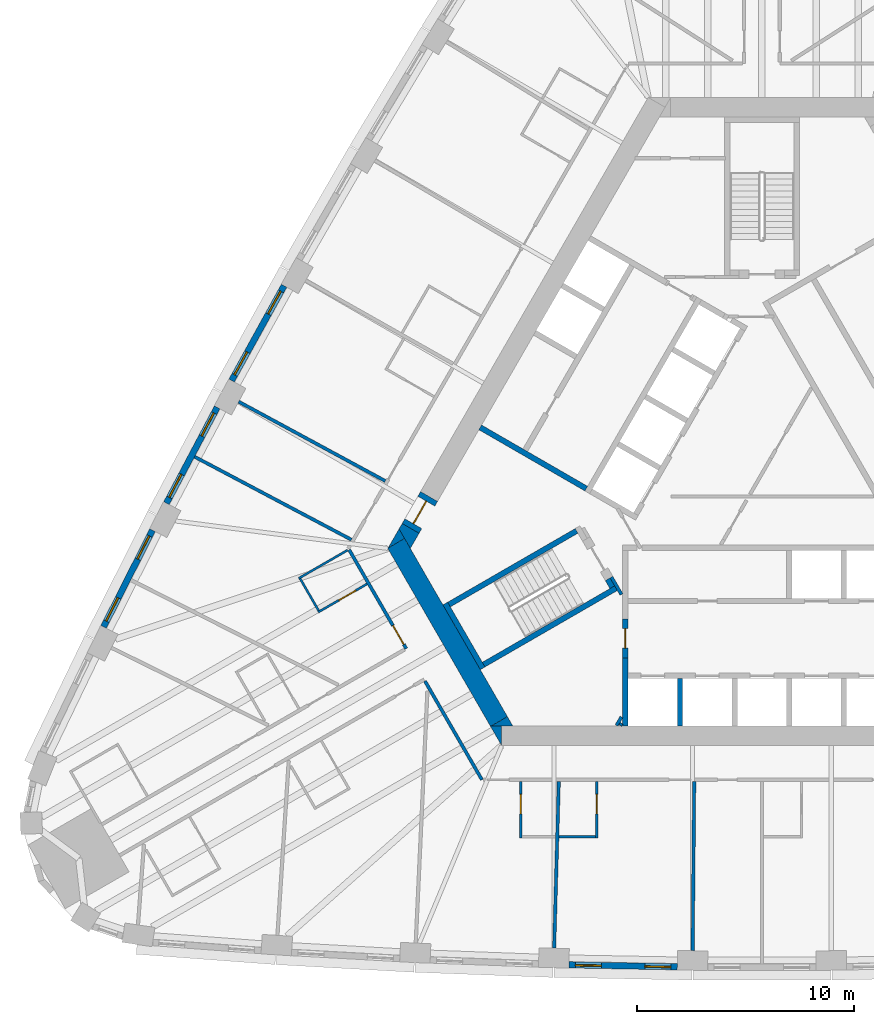
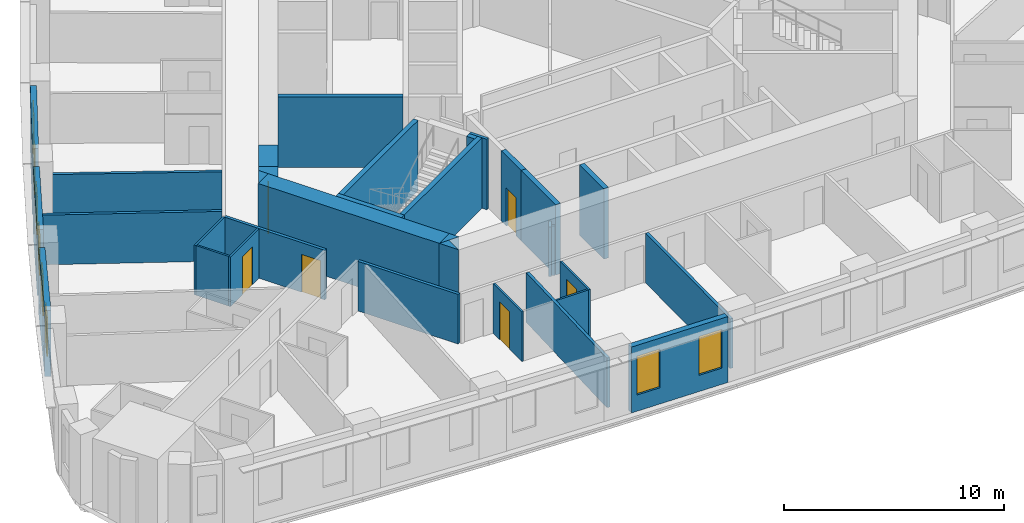
# One storey, part 4 of 13: 33 walls, 8 windows, 6 doors, 14 openings.
"""IFC4 building model written with IfcOpenShell, lengths in metres."""

from ifc_helpers import new_model, si_unit, direction, frame, frame_2d, origin, place, context, subcontext, project, spatial, polyline, rectangle, outline, extrude, material, layer, layer_set, type_object, element, fill, save


model = new_model("IFC4")

# Units and contexts
model_context = context("Model", 3, precision=1e-05, world=origin(), true_north=direction((0.0, 1.0)))
body_context = subcontext(model_context, "Body", "Model", "MODEL_VIEW")
ifc_project = project(units=[si_unit("LENGTHUNIT", "METRE"), si_unit("AREAUNIT", "SQUARE_METRE"), si_unit("VOLUMEUNIT", "CUBIC_METRE"), si_unit("PLANEANGLEUNIT", "RADIAN"), si_unit("MASSUNIT", "GRAM", prefix="KILO")], contexts=[model_context])

# Site, building, storey
site_placement = place(None, origin())
site = spatial("IfcSite", under=ifc_project, at=site_placement, CompositionType="ELEMENT")
building_placement = place(site_placement, origin())
building = spatial("IfcBuilding", under=site, at=building_placement, Name="Mestral Congress Tower", CompositionType="ELEMENT")
storey_placement = place(building_placement, frame((0.0, 0.0, 27.60009765625)))
storey = spatial("IfcBuildingStorey", under=building, at=storey_placement, Name="L05", CompositionType="ELEMENT", Elevation=27.60009765625)

# Walls
ifc_material_1 = material(Name="Fire-rated board partition")
ifc_layer_1 = layer(ifc_material_1, 0.14990234375)
ifc_layer_set_1 = layer_set([ifc_layer_1], Name="Fire-rated board partition")
wall_type_1 = type_object("IfcWallType", Name="Core partition 150", PredefinedType="PARTITIONING", material=ifc_layer_set_1)
wall_1_placement = place(storey_placement, frame((-6.707763671875, -12.068115234375, 0.0), z_axis=(0.0, 0.0, 1.0), x_axis=(0.500000789788, 0.8660249478, 0.0)))
element("IfcWall", 1, at=wall_1_placement, inside=storey, type_object=wall_type_1, Name="L05 core wall", PredefinedType="PARTITIONING", context=body_context, shape_type="SweptSolid", body=[
    extrude(rectangle(XDim=0.45556640625, YDim=0.14990234375, at=frame_2d((0.227783203125, 0.0))), origin(), (0.0, 0.0, 1.0), 2.75),
])
wall_2_placement = place(storey_placement, frame((-6.534423828125, -12.068115234375, 0.0), z_axis=(0.0, 0.0, 1.0), x_axis=(0.500240224089, 0.865886665912, 0.0)))
element("IfcWall", 2, at=wall_2_placement, inside=storey, type_object=wall_type_1, Name="L05 core wall", PredefinedType="PARTITIONING", context=body_context, shape_type="SweptSolid", body=[
    extrude(rectangle(XDim=0.10888671875, YDim=0.14990234375, at=frame_2d((0.054443359375, 0.0))), origin(), (0.0, 0.0, 1.0), 2.75),
])
ifc_material_2 = material(Name="Concrete C60/75", Category="concrete")
ifc_layer_2 = layer(ifc_material_2, 0.89990234375)
ifc_layer_set_2 = layer_set([ifc_layer_2], Name="Concrete C60/75")
wall_type_2 = type_object("IfcWallType", Name="Core wall RC 900", PredefinedType="SOLIDWALL", material=ifc_layer_set_2)
placement = place(storey_placement, origin())
element("IfcWall", 3, at=placement, inside=storey, type_object=wall_type_2, Name="L05 core wall", PredefinedType="SOLIDWALL", context=body_context, shape_type="SweptSolid", body=[
    extrude(outline(polyline([(-12.528564453125, -12.10009765625), (-12.0205078125, -12.10009765625), (-12.0205078125, -12.97998046875), (-12.528564453125, -12.10009765625)])), origin(), (0.0, 0.0, 1.0), 3.89990234375),
])
wall_4_placement = place(storey_placement, frame((-12.134033203125, -11.88330078125, 0.0), z_axis=(0.0, 0.0, 1.0), x_axis=(-0.500005339912, 0.866022320763, 0.0)))
element("IfcWall", 4, at=wall_4_placement, inside=storey, type_object=wall_type_2, Name="L05 core wall", PredefinedType="SOLIDWALL", context=body_context, shape_type="SweptSolid", body=[
    extrude(rectangle(XDim=9.48779296875, YDim=0.89990234375, at=frame_2d((4.743896484375, 0.0))), origin(), (0.0, 0.0, 1.0), 3.89990234375),
])
element("IfcWall", 5, at=placement, inside=storey, type_object=wall_type_2, Name="L05 core wall", PredefinedType="SOLIDWALL", context=body_context, shape_type="SweptSolid", body=[
    extrude(outline(polyline([(-16.4892578125, -3.43994140625), (-17.251220703125, -3.8798828125), (-16.7431640625, -3.0), (-16.4892578125, -3.43994140625)])), origin(), (0.0, 0.0, 1.0), 3.89990234375),
])
element("IfcWall", 6, at=placement, inside=storey, type_object=wall_type_2, Name="L05 core wall", PredefinedType="SOLIDWALL", context=body_context, shape_type="SweptSolid", body=[
    extrude(outline(polyline([(-11.4892578125, -12.10009765625), (-12.50537109375, -12.10009765625), (-11.743408203125, -11.66015625), (-11.4892578125, -12.10009765625)])), origin(), (0.0, 0.0, 1.0), 3.89990234375),
])
element("IfcWall", 7, at=placement, inside=storey, type_object=wall_type_2, Name="L05 core wall", PredefinedType="SOLIDWALL", context=body_context, shape_type="SweptSolid", body=[
    extrude(outline(polyline([(-15.81982421875, -3.20068359375), (-16.223388671875, -3.89990234375), (-16.7431640625, -3.0), (-16.599365234375, -2.750732421875), (-15.81982421875, -3.20068359375)])), origin(), (0.0, 0.0, 1.0), 3.89990234375),
])

# Wall, opening, door
wall_8_placement = place(storey_placement, frame((-16.20947265625, -2.9755859375, 0.0), z_axis=(0.0, 0.0, 1.0), x_axis=(0.499954529098, 0.86605165483, 0.0)))
wall_8 = element("IfcWall", 8, at=wall_8_placement, inside=storey, type_object=wall_type_2, Name="L05 door wall", PredefinedType="SOLIDWALL", context=body_context, shape_type="SweptSolid", body=[
    extrude(rectangle(XDim=1.699951171875, YDim=0.89990234375, at=frame_2d((0.85009765625, 0.0))), origin(), (0.0, 0.0, 1.0), 3.89990234375),
])
opening_1_placement = place(wall_8_placement, frame((0.25, 0.0, 0.0)))
opening_1 = element("IfcOpeningElement", 9, at=opening_1_placement, cuts=wall_8, Name="Opening XD3", PredefinedType="OPENING", context=body_context, shape_type="SweptSolid", body=[
    extrude(rectangle(XDim=1.199951171875, YDim=2.10009765625, at=frame_2d((0.60009765625, 1.050048828125))), frame((0.0, 0.4599609375, 0.0), z_axis=(0.0, -1.0, 0.0), x_axis=(1.0, 0.0, 0.0)), (0.0, 0.0, 1.0), 0.919921875),
])
ifc_material_3 = material(Name="Fire-rated steel door set", Category="steel")
door_type_1 = type_object("IfcDoorType", Name="Core door XD 1200x2100", OperationType="SINGLE_SWING_LEFT", PredefinedType="DOOR", material=ifc_material_3)
door_1_placement = place(opening_1_placement, origin())
door_1 = element("IfcDoor", 10, at=door_1_placement, inside=storey, type_object=door_type_1, Name="Door XD3", OperationType="SINGLE_SWING_LEFT", OverallHeight=2.10009765625, OverallWidth=1.199951171875, PredefinedType="DOOR", context=body_context, shape_type="SweptSolid", body=[
    extrude(rectangle(XDim=1.199951171875, YDim=2.10009765625, at=frame_2d((0.60009765625, 1.050048828125))), frame((0.0, 0.02490234375, 0.0), z_axis=(0.0, -1.0, 0.0), x_axis=(1.0, 0.0, 0.0)), (0.0, 0.0, 1.0), 0.050048828125),
])
fill(opening_1, door_1)

# Wall, openings, windows
ifc_material_4 = material(Name="Precast concrete C40/50 with limestone facing", Category="masonry")
ifc_layer_3 = layer(ifc_material_4, 0.2900390625)
ifc_layer_set_3 = layer_set([ifc_layer_3], Name="Precast concrete C40/50 with limestone facing")
wall_type_3 = type_object("IfcWallType", Name="Facade stone wall 290", PredefinedType="SOLIDWALL", material=ifc_layer_set_3)
wall_9_placement = place(storey_placement, frame((-8.903564453125, -23.11279296875, 0.0), z_axis=(0.0, 0.0, 1.0), x_axis=(0.999829529479, -0.018463801951, 0.0)))
wall_9 = element("IfcWall", 11, at=wall_9_placement, inside=storey, type_object=wall_type_3, Name="Facade wall F0-03", PredefinedType="SOLIDWALL", context=body_context, shape_type="SweptSolid", body=[
    extrude(rectangle(XDim=4.998046875, YDim=0.2900390625, at=frame_2d((2.4990234375, 0.0))), origin(), (0.0, 0.0, 1.0), 3.64990234375),
])
opening_2_placement = place(wall_9_placement, frame((0.297119140625, 0.0, 0.89990234375)))
opening_2 = element("IfcOpeningElement", 12, at=opening_2_placement, cuts=wall_9, Name="Opening W1", PredefinedType="OPENING", context=body_context, shape_type="SweptSolid", body=[
    extrude(rectangle(XDim=1.199951171875, YDim=2.14990234375, at=frame_2d((0.60009765625, 1.074951171875))), frame((0.0, 0.155029296875, 0.0), z_axis=(0.0, -1.0, 0.0), x_axis=(1.0, 0.0, 0.0)), (0.0, 0.0, 1.0), 0.31005859375),
])
opening_3_placement = place(wall_9_placement, frame((3.501220703125, 0.0, 0.89990234375)))
opening_3 = element("IfcOpeningElement", 13, at=opening_3_placement, cuts=wall_9, Name="Opening W1", PredefinedType="OPENING", context=body_context, shape_type="SweptSolid", body=[
    extrude(rectangle(XDim=1.199951171875, YDim=2.14990234375, at=frame_2d((0.60009765625, 1.074951171875))), frame((0.0, 0.155029296875, 0.0), z_axis=(0.0, -1.0, 0.0), x_axis=(1.0, 0.0, 0.0)), (0.0, 0.0, 1.0), 0.31005859375),
])
ifc_material_5 = material(Name="Clear low-emissivity double glazing", Category="glass")
window_type = type_object("IfcWindowType", Name="Facade punched window 1200 x 2150 sill 900", PartitioningType="DOUBLE_PANEL_VERTICAL", PredefinedType="WINDOW", material=ifc_material_5)
window_1_placement = place(opening_2_placement, origin())
window_1 = element("IfcWindow", 14, at=window_1_placement, inside=storey, type_object=window_type, Name="Window F0-03a", OverallHeight=2.14990234375, OverallWidth=1.199951171875, PartitioningType="DOUBLE_PANEL_VERTICAL", PredefinedType="WINDOW", context=body_context, shape_type="SweptSolid", body=[
    extrude(rectangle(XDim=1.199951171875, YDim=2.14990234375, at=frame_2d((0.60009765625, 1.074951171875))), frame((0.0, 0.01513671875, 0.0), z_axis=(0.0, -1.0, 0.0), x_axis=(1.0, 0.0, 0.0)), (0.0, 0.0, 1.0), 0.06005859375),
])
fill(opening_2, window_1)
window_2_placement = place(opening_3_placement, origin())
window_2 = element("IfcWindow", 15, at=window_2_placement, inside=storey, type_object=window_type, Name="Window F0-03b", OverallHeight=2.14990234375, OverallWidth=1.199951171875, PartitioningType="DOUBLE_PANEL_VERTICAL", PredefinedType="WINDOW", context=body_context, shape_type="SweptSolid", body=[
    extrude(rectangle(XDim=1.199951171875, YDim=2.14990234375, at=frame_2d((0.60009765625, 1.074951171875))), frame((0.0, 0.01513671875, 0.0), z_axis=(0.0, -1.0, 0.0), x_axis=(1.0, 0.0, 0.0)), (0.0, 0.0, 1.0), 0.06005859375),
])
fill(opening_3, window_2)

wall_10_placement = place(storey_placement, frame((-22.049560546875, 8.2197265625, 0.0), z_axis=(0.0, 0.0, 1.0), x_axis=(-0.483912572871, -0.875116347589, 0.0)))
wall_10 = element("IfcWall", 16, at=wall_10_placement, inside=storey, type_object=wall_type_3, Name="Facade wall F2-05", PredefinedType="SOLIDWALL", context=body_context, shape_type="SweptSolid", body=[
    extrude(rectangle(XDim=4.998291015625, YDim=0.2900390625, at=frame_2d((2.4990234375, 0.0))), origin(), (0.0, 0.0, 1.0), 3.64990234375),
])
opening_4_placement = place(wall_10_placement, frame((0.297119140625, 0.0, 0.89990234375)))
opening_4 = element("IfcOpeningElement", 17, at=opening_4_placement, cuts=wall_10, Name="Opening W1", PredefinedType="OPENING", context=body_context, shape_type="SweptSolid", body=[
    extrude(rectangle(XDim=1.199951171875, YDim=2.14990234375, at=frame_2d((0.60009765625, 1.074951171875))), frame((0.0, 0.155029296875, 0.0), z_axis=(0.0, -1.0, 0.0), x_axis=(1.0, 0.0, 0.0)), (0.0, 0.0, 1.0), 0.31005859375),
])
opening_5_placement = place(wall_10_placement, frame((3.501220703125, 0.0, 0.89990234375)))
opening_5 = element("IfcOpeningElement", 18, at=opening_5_placement, cuts=wall_10, Name="Opening W1", PredefinedType="OPENING", context=body_context, shape_type="SweptSolid", body=[
    extrude(rectangle(XDim=1.199951171875, YDim=2.14990234375, at=frame_2d((0.60009765625, 1.074951171875))), frame((0.0, 0.155029296875, 0.0), z_axis=(0.0, -1.0, 0.0), x_axis=(1.0, 0.0, 0.0)), (0.0, 0.0, 1.0), 0.31005859375),
])
window_3_placement = place(opening_4_placement, origin())
window_3 = element("IfcWindow", 19, at=window_3_placement, inside=storey, type_object=window_type, Name="Window F2-05a", OverallHeight=2.14990234375, OverallWidth=1.199951171875, PartitioningType="DOUBLE_PANEL_VERTICAL", PredefinedType="WINDOW", context=body_context, shape_type="SweptSolid", body=[
    extrude(rectangle(XDim=1.199951171875, YDim=2.14990234375, at=frame_2d((0.60009765625, 1.074951171875))), frame((0.0, 0.01513671875, 0.0), z_axis=(0.0, -1.0, 0.0), x_axis=(1.0, 0.0, 0.0)), (0.0, 0.0, 1.0), 0.06005859375),
])
fill(opening_4, window_3)
window_4_placement = place(opening_5_placement, origin())
window_4 = element("IfcWindow", 20, at=window_4_placement, inside=storey, type_object=window_type, Name="Window F2-05b", OverallHeight=2.14990234375, OverallWidth=1.199951171875, PartitioningType="DOUBLE_PANEL_VERTICAL", PredefinedType="WINDOW", context=body_context, shape_type="SweptSolid", body=[
    extrude(rectangle(XDim=1.199951171875, YDim=2.14990234375, at=frame_2d((0.60009765625, 1.074951171875))), frame((0.0, 0.01513671875, 0.0), z_axis=(0.0, -1.0, 0.0), x_axis=(1.0, 0.0, 0.0)), (0.0, 0.0, 1.0), 0.06005859375),
])
fill(opening_5, window_4)

wall_11_placement = place(storey_placement, frame((-25.1376953125, 2.60791015625, 0.0), z_axis=(0.0, 0.0, 1.0), x_axis=(-0.467629620899, -0.883924509026, 0.0)))
wall_11 = element("IfcWall", 21, at=wall_11_placement, inside=storey, type_object=wall_type_3, Name="Facade wall F2-06", PredefinedType="SOLIDWALL", context=body_context, shape_type="SweptSolid", body=[
    extrude(rectangle(XDim=4.998291015625, YDim=0.2900390625, at=frame_2d((2.4990234375, 0.0))), origin(), (0.0, 0.0, 1.0), 3.64990234375),
])
opening_6_placement = place(wall_11_placement, frame((0.297119140625, 0.0, 0.89990234375)))
opening_6 = element("IfcOpeningElement", 22, at=opening_6_placement, cuts=wall_11, Name="Opening W1", PredefinedType="OPENING", context=body_context, shape_type="SweptSolid", body=[
    extrude(rectangle(XDim=1.199951171875, YDim=2.14990234375, at=frame_2d((0.60009765625, 1.074951171875))), frame((0.0, 0.155029296875, 0.0), z_axis=(0.0, -1.0, 0.0), x_axis=(1.0, 0.0, 0.0)), (0.0, 0.0, 1.0), 0.31005859375),
])
opening_7_placement = place(wall_11_placement, frame((3.501220703125, 0.0, 0.89990234375)))
opening_7 = element("IfcOpeningElement", 23, at=opening_7_placement, cuts=wall_11, Name="Opening W1", PredefinedType="OPENING", context=body_context, shape_type="SweptSolid", body=[
    extrude(rectangle(XDim=1.199951171875, YDim=2.14990234375, at=frame_2d((0.60009765625, 1.074951171875))), frame((0.0, 0.155029296875, 0.0), z_axis=(0.0, -1.0, 0.0), x_axis=(1.0, 0.0, 0.0)), (0.0, 0.0, 1.0), 0.31005859375),
])
window_5_placement = place(opening_6_placement, origin())
window_5 = element("IfcWindow", 24, at=window_5_placement, inside=storey, type_object=window_type, Name="Window F2-06a", OverallHeight=2.14990234375, OverallWidth=1.199951171875, PartitioningType="DOUBLE_PANEL_VERTICAL", PredefinedType="WINDOW", context=body_context, shape_type="SweptSolid", body=[
    extrude(rectangle(XDim=1.199951171875, YDim=2.14990234375, at=frame_2d((0.60009765625, 1.074951171875))), frame((0.0, 0.01513671875, 0.0), z_axis=(0.0, -1.0, 0.0), x_axis=(1.0, 0.0, 0.0)), (0.0, 0.0, 1.0), 0.06005859375),
])
fill(opening_6, window_5)
window_6_placement = place(opening_7_placement, origin())
window_6 = element("IfcWindow", 25, at=window_6_placement, inside=storey, type_object=window_type, Name="Window F2-06b", OverallHeight=2.14990234375, OverallWidth=1.199951171875, PartitioningType="DOUBLE_PANEL_VERTICAL", PredefinedType="WINDOW", context=body_context, shape_type="SweptSolid", body=[
    extrude(rectangle(XDim=1.199951171875, YDim=2.14990234375, at=frame_2d((0.60009765625, 1.074951171875))), frame((0.0, 0.01513671875, 0.0), z_axis=(0.0, -1.0, 0.0), x_axis=(1.0, 0.0, 0.0)), (0.0, 0.0, 1.0), 0.06005859375),
])
fill(opening_7, window_6)

wall_12_placement = place(storey_placement, frame((-28.12158203125, -3.06005859375, 0.0), z_axis=(0.0, 0.0, 1.0), x_axis=(-0.451233929645, -0.892405704115, 0.0)))
wall_12 = element("IfcWall", 26, at=wall_12_placement, inside=storey, type_object=wall_type_3, Name="Facade wall F2-07", PredefinedType="SOLIDWALL", context=body_context, shape_type="SweptSolid", body=[
    extrude(rectangle(XDim=4.998291015625, YDim=0.2900390625, at=frame_2d((2.4990234375, 0.0))), origin(), (0.0, 0.0, 1.0), 3.64990234375),
])
opening_8_placement = place(wall_12_placement, frame((0.297119140625, 0.0, 0.89990234375)))
opening_8 = element("IfcOpeningElement", 27, at=opening_8_placement, cuts=wall_12, Name="Opening W1", PredefinedType="OPENING", context=body_context, shape_type="SweptSolid", body=[
    extrude(rectangle(XDim=1.199951171875, YDim=2.14990234375, at=frame_2d((0.60009765625, 1.074951171875))), frame((0.0, 0.155029296875, 0.0), z_axis=(0.0, -1.0, 0.0), x_axis=(1.0, 0.0, 0.0)), (0.0, 0.0, 1.0), 0.31005859375),
])
opening_9_placement = place(wall_12_placement, frame((3.501220703125, 0.0, 0.89990234375)))
opening_9 = element("IfcOpeningElement", 28, at=opening_9_placement, cuts=wall_12, Name="Opening W1", PredefinedType="OPENING", context=body_context, shape_type="SweptSolid", body=[
    extrude(rectangle(XDim=1.199951171875, YDim=2.14990234375, at=frame_2d((0.60009765625, 1.074951171875))), frame((0.0, 0.155029296875, 0.0), z_axis=(0.0, -1.0, 0.0), x_axis=(1.0, 0.0, 0.0)), (0.0, 0.0, 1.0), 0.31005859375),
])
window_7_placement = place(opening_8_placement, origin())
window_7 = element("IfcWindow", 29, at=window_7_placement, inside=storey, type_object=window_type, Name="Window F2-07a", OverallHeight=2.14990234375, OverallWidth=1.199951171875, PartitioningType="DOUBLE_PANEL_VERTICAL", PredefinedType="WINDOW", context=body_context, shape_type="SweptSolid", body=[
    extrude(rectangle(XDim=1.199951171875, YDim=2.14990234375, at=frame_2d((0.60009765625, 1.074951171875))), frame((0.0, 0.01513671875, 0.0), z_axis=(0.0, -1.0, 0.0), x_axis=(1.0, 0.0, 0.0)), (0.0, 0.0, 1.0), 0.06005859375),
])
fill(opening_8, window_7)
window_8_placement = place(opening_9_placement, origin())
window_8 = element("IfcWindow", 30, at=window_8_placement, inside=storey, type_object=window_type, Name="Window F2-07b", OverallHeight=2.14990234375, OverallWidth=1.199951171875, PartitioningType="DOUBLE_PANEL_VERTICAL", PredefinedType="WINDOW", context=body_context, shape_type="SweptSolid", body=[
    extrude(rectangle(XDim=1.199951171875, YDim=2.14990234375, at=frame_2d((0.60009765625, 1.074951171875))), frame((0.0, 0.01513671875, 0.0), z_axis=(0.0, -1.0, 0.0), x_axis=(1.0, 0.0, 0.0)), (0.0, 0.0, 1.0), 0.06005859375),
])
fill(opening_9, window_8)

# Wall, opening, door
ifc_material_6 = material(Name="Gypsum board partition on metal studs with mineral wool", Category="composite")
ifc_layer_4 = layer(ifc_material_6, 0.10009765625)
ifc_layer_set_4 = layer_set([ifc_layer_4], Name="Gypsum board partition on metal studs with mineral wool")
wall_type_4 = type_object("IfcWallType", Name="Hotel partition wall 100", PredefinedType="PARTITIONING", material=ifc_layer_set_4)
wall_13_placement = place(storey_placement, frame((-11.126708984375, -14.64990234375, 0.0), z_axis=(0.0, 0.0, 1.0), x_axis=(0.0, -1.0, 0.0)))
wall_13 = element("IfcWall", 31, at=wall_13_placement, inside=storey, type_object=wall_type_4, Name="L05-h-pod03a", PredefinedType="PARTITIONING", context=body_context, shape_type="SweptSolid", body=[
    extrude(rectangle(XDim=2.60009765625, YDim=0.10009765625, at=frame_2d((1.300048828125, 0.0))), origin(), (0.0, 0.0, 1.0), 2.75),
])
opening_10_placement = place(wall_13_placement, frame((0.60009765625, 0.0, 0.0)))
opening_10 = element("IfcOpeningElement", 32, at=opening_10_placement, cuts=wall_13, Name="Opening H01-006", PredefinedType="OPENING", context=body_context, shape_type="SweptSolid", body=[
    extrude(rectangle(XDim=0.89990234375, YDim=2.10009765625, at=frame_2d((0.449951171875, 1.050048828125))), frame((0.0, 0.06005859375, 0.0), z_axis=(0.0, -1.0, 0.0), x_axis=(1.0, 0.0, 0.0)), (0.0, 0.0, 1.0), 0.1201171875),
])
ifc_material_7 = material(Name="Timber veneer door leaf in timber frame", Category="wood")
door_type_2 = type_object("IfcDoorType", Name="Bathroom door 900", OperationType="SINGLE_SWING_LEFT", PredefinedType="DOOR", material=ifc_material_7)
door_2_placement = place(opening_10_placement, origin())
door_2 = element("IfcDoor", 33, at=door_2_placement, inside=storey, type_object=door_type_2, Name="L05-h-d006", OperationType="SINGLE_SWING_RIGHT", OverallHeight=2.10009765625, OverallWidth=0.89990234375, PredefinedType="DOOR", context=body_context, shape_type="SweptSolid", body=[
    extrude(rectangle(XDim=0.89990234375, YDim=2.10009765625, at=frame_2d((0.449951171875, 1.050048828125))), frame((0.0, 0.02490234375, 0.0), z_axis=(0.0, -1.0, 0.0), x_axis=(1.0, 0.0, 0.0)), (0.0, 0.0, 1.0), 0.050048828125),
])
fill(opening_10, door_2)

wall_14_placement = place(storey_placement, frame((-7.619384765625, -17.25, 0.0), z_axis=(0.0, 0.0, 1.0), x_axis=(0.0, 1.0, 0.0)))
wall_14 = element("IfcWall", 34, at=wall_14_placement, inside=storey, type_object=wall_type_4, Name="L05-h-pod04a", PredefinedType="PARTITIONING", context=body_context, shape_type="SweptSolid", body=[
    extrude(rectangle(XDim=2.60009765625, YDim=0.10009765625, at=frame_2d((1.300048828125, 0.0))), origin(), (0.0, 0.0, 1.0), 2.75),
])
opening_11_placement = place(wall_14_placement, frame((1.10009765625, 0.0, 0.0)))
opening_11 = element("IfcOpeningElement", 35, at=opening_11_placement, cuts=wall_14, Name="Opening H01-008", PredefinedType="OPENING", context=body_context, shape_type="SweptSolid", body=[
    extrude(rectangle(XDim=0.89990234375, YDim=2.10009765625, at=frame_2d((0.449951171875, 1.050048828125))), frame((0.0, 0.06005859375, 0.0), z_axis=(0.0, -1.0, 0.0), x_axis=(1.0, 0.0, 0.0)), (0.0, 0.0, 1.0), 0.1201171875),
])
door_3_placement = place(opening_11_placement, origin())
door_3 = element("IfcDoor", 36, at=door_3_placement, inside=storey, type_object=door_type_2, Name="L05-h-d008", OperationType="SINGLE_SWING_LEFT", OverallHeight=2.10009765625, OverallWidth=0.89990234375, PredefinedType="DOOR", context=body_context, shape_type="SweptSolid", body=[
    extrude(rectangle(XDim=0.89990234375, YDim=2.10009765625, at=frame_2d((0.449951171875, 1.050048828125))), frame((0.0, 0.02490234375, 0.0), z_axis=(0.0, -1.0, 0.0), x_axis=(1.0, 0.0, 0.0)), (0.0, 0.0, 1.0), 0.050048828125),
])
fill(opening_11, door_3)

# Wall
wall_15_placement = place(storey_placement, frame((-7.669189453125, -17.199951171875, 0.0), z_axis=(0.0, 0.0, 1.0), x_axis=(-1.0, 0.0, 0.0)))
element("IfcWall", 37, at=wall_15_placement, inside=storey, type_object=wall_type_4, Name="L05-h-pod04b", PredefinedType="PARTITIONING", context=body_context, shape_type="SweptSolid", body=[
    extrude(rectangle(XDim=1.690185546875, YDim=0.10009765625, at=frame_2d((0.84521484375, 0.0))), origin(), (0.0, 0.0, 1.0), 2.75),
])

# Wall, opening, door
wall_16_placement = place(storey_placement, frame((-20.472900390625, -6.839599609375, 0.0), z_axis=(0.0, 0.0, 1.0), x_axis=(0.865997922154, 0.500047596559, 0.0)))
wall_16 = element("IfcWall", 38, at=wall_16_placement, inside=storey, type_object=wall_type_4, Name="L05-h-pod28a", PredefinedType="PARTITIONING", context=body_context, shape_type="SweptSolid", body=[
    extrude(rectangle(XDim=2.599853515625, YDim=0.10009765625, at=frame_2d((1.2998046875, 0.0))), origin(), (0.0, 0.0, 1.0), 2.75),
])
opening_12_placement = place(wall_16_placement, frame((1.10009765625, 0.0, 0.0)))
opening_12 = element("IfcOpeningElement", 39, at=opening_12_placement, cuts=wall_16, Name="Opening H01-053", PredefinedType="OPENING", context=body_context, shape_type="SweptSolid", body=[
    extrude(rectangle(XDim=0.89990234375, YDim=2.10009765625, at=frame_2d((0.449951171875, 1.050048828125))), frame((0.0, 0.06005859375, 0.0), z_axis=(0.0, -1.0, 0.0), x_axis=(1.0, 0.0, 0.0)), (0.0, 0.0, 1.0), 0.1201171875),
])
door_4_placement = place(opening_12_placement, origin())
door_4 = element("IfcDoor", 40, at=door_4_placement, inside=storey, type_object=door_type_2, Name="L05-h-d053", OperationType="SINGLE_SWING_LEFT", OverallHeight=2.10009765625, OverallWidth=0.89990234375, PredefinedType="DOOR", context=body_context, shape_type="SweptSolid", body=[
    extrude(rectangle(XDim=0.89990234375, YDim=2.10009765625, at=frame_2d((0.449951171875, 1.050048828125))), frame((0.0, 0.02490234375, 0.0), z_axis=(0.0, -1.0, 0.0), x_axis=(1.0, 0.0, 0.0)), (0.0, 0.0, 1.0), 0.050048828125),
])
fill(opening_12, door_4)

# Walls
wall_17_placement = place(storey_placement, frame((-20.45458984375, -6.771240234375, 0.0), z_axis=(0.0, 0.0, 1.0), x_axis=(-0.500062241894, 0.865989465428, 0.0)))
element("IfcWall", 41, at=wall_17_placement, inside=storey, type_object=wall_type_4, Name="L05-h-pod28b", PredefinedType="PARTITIONING", context=body_context, shape_type="SweptSolid", body=[
    extrude(rectangle(XDim=1.699951171875, YDim=0.10009765625, at=frame_2d((0.85009765625, 0.0))), origin(), (0.0, 0.0, 1.0), 2.75),
])
wall_18_placement = place(storey_placement, frame((-19.121337890625, -3.980712890625, 0.0), z_axis=(0.0, 0.0, 1.0), x_axis=(-0.866021400173, -0.500006934395, 0.0)))
element("IfcWall", 42, at=wall_18_placement, inside=storey, type_object=wall_type_4, Name="L05-h-pod28c", PredefinedType="PARTITIONING", context=body_context, shape_type="SweptSolid", body=[
    extrude(rectangle(XDim=2.60009765625, YDim=0.10009765625, at=frame_2d((1.300048828125, 0.0))), origin(), (0.0, 0.0, 1.0), 2.75),
])

# Wall, opening, door
ifc_layer_5 = layer(ifc_material_6, 0.14990234375)
ifc_layer_set_5 = layer_set([ifc_layer_5], Name="Gypsum board partition on metal studs with mineral wool")
wall_type_5 = type_object("IfcWallType", Name="Hotel partition wall 150", PredefinedType="PARTITIONING", material=ifc_layer_set_5)
wall_19_placement = place(storey_placement, frame((-16.412353515625, -8.52294921875, 0.0), z_axis=(0.0, 0.0, 1.0), x_axis=(-0.500001929737, 0.866024289647, 0.0)))
wall_19 = element("IfcWall", 43, at=wall_19_placement, inside=storey, type_object=wall_type_5, Name="L05-h-cw09", PredefinedType="PARTITIONING", context=body_context, shape_type="SweptSolid", body=[
    extrude(rectangle(XDim=5.26806640625, YDim=0.14990234375, at=frame_2d((2.634033203125, 0.0))), origin(), (0.0, 0.0, 1.0), 2.75),
])
opening_13_placement = place(wall_19_placement, frame((0.22607421875, 0.0, 0.0)))
opening_13 = element("IfcOpeningElement", 44, at=opening_13_placement, cuts=wall_19, Name="Opening H01-052", PredefinedType="OPENING", context=body_context, shape_type="SweptSolid", body=[
    extrude(rectangle(XDim=1.0, YDim=2.10009765625, at=frame_2d((0.5, 1.050048828125))), frame((0.0, 0.0849609375, 0.0), z_axis=(0.0, -1.0, 0.0), x_axis=(1.0, 0.0, 0.0)), (0.0, 0.0, 1.0), 0.169921875),
])
ifc_material_8 = material(Name="Timber veneer door leaf in metal frame", Category="wood")
door_type_3 = type_object("IfcDoorType", Name="Guest room entrance door 1000", OperationType="SINGLE_SWING_LEFT", PredefinedType="DOOR", material=ifc_material_8)
door_5_placement = place(opening_13_placement, origin())
door_5 = element("IfcDoor", 45, at=door_5_placement, inside=storey, type_object=door_type_3, Name="L05-h-d052", OperationType="SINGLE_SWING_LEFT", OverallHeight=2.10009765625, OverallWidth=1.0, PredefinedType="DOOR", context=body_context, shape_type="SweptSolid", body=[
    extrude(rectangle(XDim=1.0, YDim=2.10009765625, at=frame_2d((0.5, 1.050048828125))), frame((0.0, 0.02490234375, 0.0), z_axis=(0.0, -1.0, 0.0), x_axis=(1.0, 0.0, 0.0)), (0.0, 0.0, 1.0), 0.050048828125),
])
fill(opening_13, door_5)

# Walls
wall_20_placement = place(storey_placement, frame((-12.918212890625, -14.574951171875, 0.0), z_axis=(0.0, 0.0, 1.0), x_axis=(-0.500009150678, 0.866020120573, 0.0)))
element("IfcWall", 46, at=wall_20_placement, inside=storey, type_object=wall_type_5, Name="L05-h-cw12", PredefinedType="PARTITIONING", context=body_context, shape_type="SweptSolid", body=[
    extrude(rectangle(XDim=5.25830078125, YDim=0.14990234375, at=frame_2d((2.629150390625, 0.0))), origin(), (0.0, 0.0, 1.0), 2.75),
])
wall_21_placement = place(storey_placement, frame((-26.17822265625, 0.3310546875, 0.0), z_axis=(0.0, 0.0, 1.0), x_axis=(0.883908370409, -0.467660125221, 0.0)))
element("IfcWall", 47, at=wall_21_placement, inside=storey, type_object=wall_type_5, Name="L05-h-pw05", PredefinedType="PARTITIONING", context=body_context, shape_type="SweptSolid", body=[
    extrude(rectangle(XDim=8.18212890625, YDim=0.14990234375, at=frame_2d((4.091064453125, 0.0))), origin(), (0.0, 0.0, 1.0), 2.75),
])
wall_22_placement = place(storey_placement, frame((-24.14453125, 2.87060546875, 0.0), z_axis=(0.0, 0.0, 1.0), x_axis=(0.879551725039, -0.475803281809, 0.0)))
element("IfcWall", 48, at=wall_22_placement, inside=storey, type_object=wall_type_5, Name="L05-h-pw06", PredefinedType="PARTITIONING", context=body_context, shape_type="SweptSolid", body=[
    extrude(rectangle(XDim=7.68798828125, YDim=0.14990234375, at=frame_2d((3.843994140625, 0.0))), origin(), (0.0, 0.0, 1.0), 2.75),
])
wall_23_placement = place(storey_placement, frame((-9.586181640625, -22.34521484375, 0.0), z_axis=(0.0, 0.0, 1.0), x_axis=(0.027722115646, 0.999615668297, 0.0)))
element("IfcWall", 49, at=wall_23_placement, inside=storey, type_object=wall_type_5, Name="L05-h-pw10", PredefinedType="PARTITIONING", context=body_context, shape_type="SweptSolid", body=[
    extrude(rectangle(XDim=7.688232421875, YDim=0.14990234375, at=frame_2d((3.84423828125, 0.0))), origin(), (0.0, 0.0, 1.0), 2.75),
])
wall_24_placement = place(storey_placement, frame((-3.19580078125, -22.463134765625, 0.0), z_axis=(0.0, 0.0, 1.0), x_axis=(0.00926060032, 0.999957119721, 0.0)))
element("IfcWall", 50, at=wall_24_placement, inside=storey, type_object=wall_type_5, Name="L05-h-pw12", PredefinedType="PARTITIONING", context=body_context, shape_type="SweptSolid", body=[
    extrude(rectangle(XDim=7.803466796875, YDim=0.14990234375, at=frame_2d((3.90185546875, 0.0))), origin(), (0.0, 0.0, 1.0), 2.75),
])
ifc_layer_6 = layer(ifc_material_2, 0.25)
ifc_layer_set_6 = layer_set([ifc_layer_6], Name="Concrete C60/75")
wall_type_6 = type_object("IfcWallType", Name="Shaft wall RC 250", PredefinedType="SOLIDWALL", material=ifc_layer_set_6)
wall_25_placement = place(storey_placement, frame((-3.780029296875, -12.10009765625, 0.0), z_axis=(0.0, 0.0, 1.0), x_axis=(0.0, 1.0, 0.0)))
element("IfcWall", 51, at=wall_25_placement, inside=storey, type_object=wall_type_6, Name="L05 core wall", PredefinedType="SOLIDWALL", context=body_context, shape_type="SweptSolid", body=[
    extrude(rectangle(XDim=2.199951171875, YDim=0.25, at=frame_2d((1.10009765625, 0.0))), origin(), (0.0, 0.0, 1.0), 3.89990234375),
])
wall_26_placement = place(storey_placement, frame((-6.300048828125, -12.10009765625, 0.0), z_axis=(0.0, 0.0, 1.0), x_axis=(0.0, 1.0, 0.0)))
element("IfcWall", 52, at=wall_26_placement, inside=storey, type_object=wall_type_6, Name="L05 core wall", PredefinedType="SOLIDWALL", context=body_context, shape_type="SweptSolid", body=[
    extrude(rectangle(XDim=3.1455078125, YDim=0.25, at=frame_2d((1.57275390625, 0.0))), origin(), (0.0, 0.0, 1.0), 3.89990234375),
])
wall_27_placement = place(storey_placement, frame((-8.10595703125, -1.139892578125, 0.0), z_axis=(0.0, 0.0, 1.0), x_axis=(-0.866000643155, 0.500042884217, 0.0)))
element("IfcWall", 53, at=wall_27_placement, inside=storey, type_object=wall_type_6, Name="L05 core wall", PredefinedType="SOLIDWALL", context=body_context, shape_type="SweptSolid", body=[
    extrude(rectangle(XDim=5.64990234375, YDim=0.25, at=frame_2d((2.824951171875, 0.0))), origin(), (0.0, 0.0, 1.0), 3.89990234375),
])

# Wall, opening, door
wall_28_placement = place(storey_placement, frame((-6.300048828125, -7.154296875, 0.0), z_axis=(0.0, 0.0, 1.0), x_axis=(0.0, -1.0, 0.0)))
wall_28 = element("IfcWall", 54, at=wall_28_placement, inside=storey, type_object=wall_type_6, Name="L05 door wall", PredefinedType="SOLIDWALL", context=body_context, shape_type="SweptSolid", body=[
    extrude(rectangle(XDim=1.800048828125, YDim=0.25, at=frame_2d((0.89990234375, 0.0))), origin(), (0.0, 0.0, 1.0), 3.89990234375),
])
opening_14_placement = place(wall_28_placement, frame((0.449951171875, 0.0, 0.0)))
opening_14 = element("IfcOpeningElement", 55, at=opening_14_placement, cuts=wall_28, Name="Opening TD3", PredefinedType="OPENING", context=body_context, shape_type="SweptSolid", body=[
    extrude(rectangle(XDim=0.89990234375, YDim=2.10009765625, at=frame_2d((0.449951171875, 1.050048828125))), frame((0.0, 0.135009765625, 0.0), z_axis=(0.0, -1.0, 0.0), x_axis=(1.0, 0.0, 0.0)), (0.0, 0.0, 1.0), 0.27001953125),
])
door_type_4 = type_object("IfcDoorType", Name="Core door SR 900x2100", OperationType="SINGLE_SWING_LEFT", PredefinedType="DOOR", material=ifc_material_3)
door_6_placement = place(opening_14_placement, origin())
door_6 = element("IfcDoor", 56, at=door_6_placement, inside=storey, type_object=door_type_4, Name="Door TD3", OperationType="SINGLE_SWING_LEFT", OverallHeight=2.10009765625, OverallWidth=0.89990234375, PredefinedType="DOOR", context=body_context, shape_type="SweptSolid", body=[
    extrude(rectangle(XDim=0.89990234375, YDim=2.10009765625, at=frame_2d((0.449951171875, 1.050048828125))), frame((0.0, 0.02490234375, 0.0), z_axis=(0.0, -1.0, 0.0), x_axis=(1.0, 0.0, 0.0)), (0.0, 0.0, 1.0), 0.050048828125),
])
fill(opening_14, door_6)

# Walls
ifc_layer_7 = layer(ifc_material_2, 0.14990234375)
ifc_layer_set_7 = layer_set([ifc_layer_7], Name="Concrete C60/75")
wall_type_7 = type_object("IfcWallType", Name="Shaft wall RC 250 door-wall 150", PredefinedType="SOLIDWALL", material=ifc_layer_set_7)
wall_29_placement = place(storey_placement, frame((-6.48046875, -6.026611328125, 0.0), z_axis=(0.0, 0.0, 1.0), x_axis=(-0.499927229454, 0.866067413802, 0.0)))
element("IfcWall", 57, at=wall_29_placement, inside=storey, type_object=wall_type_7, Name="L05 core wall", PredefinedType="PARTITIONING", context=body_context, shape_type="SweptSolid", body=[
    extrude(rectangle(XDim=0.928955078125, YDim=0.14990234375, at=frame_2d((0.46435546875, 0.0))), origin(), (0.0, 0.0, 1.0), 3.89990234375),
])
ifc_layer_8 = layer(ifc_material_2, 0.25)
ifc_layer_set_8 = layer_set([ifc_layer_8], Name="Concrete C60/75")
wall_type_8 = type_object("IfcWallType", Name="Stair wall RC 250", PredefinedType="SOLIDWALL", material=ifc_layer_set_8)
wall_30_placement = place(storey_placement, frame((-12.885498046875, -9.431396484375, 0.0), z_axis=(0.0, 0.0, 1.0), x_axis=(-0.500020560727, 0.866013532718, 0.0)))
element("IfcWall", 58, at=wall_30_placement, inside=storey, type_object=wall_type_8, Name="L05 core wall", PredefinedType="SOLIDWALL", context=body_context, shape_type="SweptSolid", body=[
    extrude(rectangle(XDim=3.449951171875, YDim=0.25, at=frame_2d((1.72509765625, 0.0))), origin(), (0.0, 0.0, 1.0), 3.89990234375),
])
wall_31_placement = place(storey_placement, frame((-14.43994140625, -6.489501953125, 0.0), z_axis=(0.0, 0.0, 1.0), x_axis=(0.866022966069, 0.500004222222, 0.0)))
element("IfcWall", 59, at=wall_31_placement, inside=storey, type_object=wall_type_8, Name="L05 core wall", PredefinedType="SOLIDWALL", context=body_context, shape_type="SweptSolid", body=[
    extrude(rectangle(XDim=6.80029296875, YDim=0.25, at=frame_2d((3.400146484375, 0.0))), origin(), (0.0, 0.0, 1.0), 3.89990234375),
])
wall_32_placement = place(storey_placement, frame((-12.83984375, -9.2607421875, 0.0), z_axis=(0.0, 0.0, 1.0), x_axis=(0.866016039709, 0.500016218704, 0.0)))
element("IfcWall", 60, at=wall_32_placement, inside=storey, type_object=wall_type_8, Name="L05 core wall", PredefinedType="SOLIDWALL", context=body_context, shape_type="SweptSolid", body=[
    extrude(rectangle(XDim=7.050048828125, YDim=0.25, at=frame_2d((3.52490234375, 0.0))), origin(), (0.0, 0.0, 1.0), 3.89990234375),
])
wall_33_placement = place(storey_placement, frame((-6.905029296875, -5.68994140625, 0.0), z_axis=(0.0, 0.0, 1.0), x_axis=(-0.500402024738, 0.865793170242, 0.0)))
element("IfcWall", 61, at=wall_33_placement, inside=storey, type_object=wall_type_8, Name="L05 core wall", PredefinedType="SOLIDWALL", context=body_context, shape_type="SweptSolid", body=[
    extrude(rectangle(XDim=0.425048828125, YDim=0.25, at=frame_2d((0.21240234375, 0.0))), origin(), (0.0, 0.0, 1.0), 3.89990234375),
])

save(model, "model.ifc")
